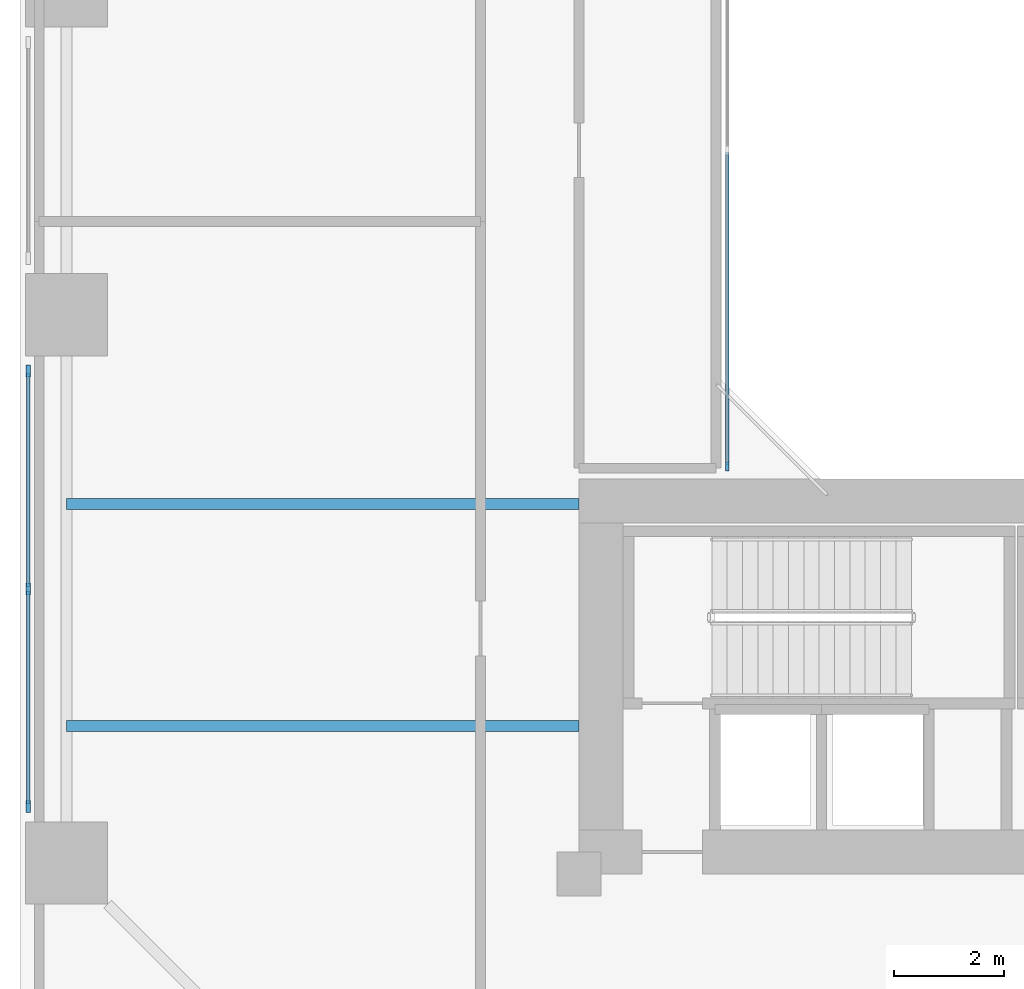
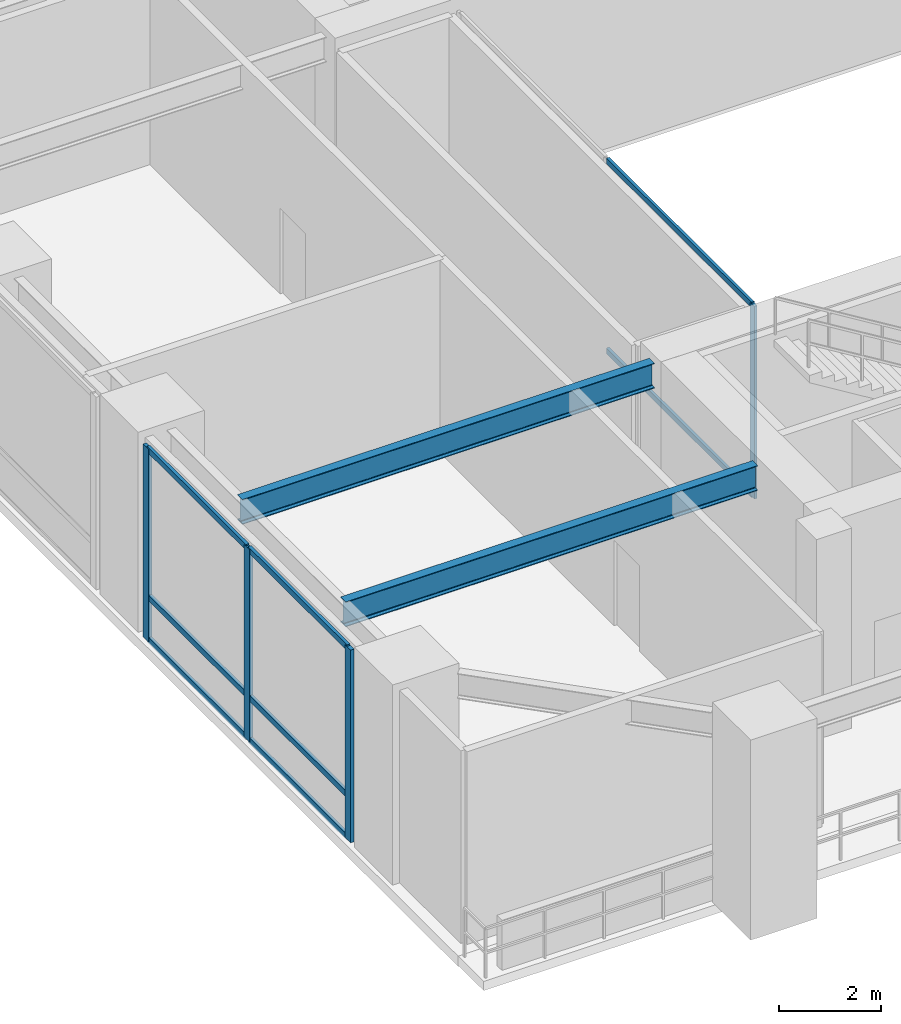
# One storey, part 2 of 19: 12 members, 2 beams, 2 elements without a shape of their own.
"""IFC4 building model written with IfcOpenShell, lengths in metres."""

from ifc_helpers import new_model, si_unit, direction, frame, origin, origin_2d, place, context, subcontext, project, spatial, rectangle, i_section, extrude, source, transform, mapped, material, layer, layer_set, material_profile, profile_set, type_object, element, aggregate, save


model = new_model("IFC4")

# Units and contexts
model_context = context("Model", 3, precision=1e-05, world=origin(), true_north=direction((0.0, 1.0)))
body_context = subcontext(model_context, "Body", "Model", "MODEL_VIEW")
ifc_project = project(units=[si_unit("LENGTHUNIT", "METRE"), si_unit("AREAUNIT", "SQUARE_METRE"), si_unit("VOLUMEUNIT", "CUBIC_METRE"), si_unit("PLANEANGLEUNIT", "RADIAN"), si_unit("MASSUNIT", "GRAM", prefix="KILO"), si_unit("THERMODYNAMICTEMPERATUREUNIT", "KELVIN"), si_unit("POWERUNIT", "WATT")], contexts=[model_context])

# Site, building, storey
site_placement = place(None, origin())
site = spatial("IfcSite", under=ifc_project, at=site_placement, CompositionType="ELEMENT")
building_placement = place(site_placement, origin())
building = spatial("IfcBuilding", under=site, at=building_placement, Name="Qiaomeng Ring Towers", CompositionType="ELEMENT")
storey_placement = place(building_placement, frame((0.0, 0.0, 18.199951171875)))
storey = spatial("IfcBuildingStorey", under=building, at=storey_placement, Name="L04", CompositionType="ELEMENT", Elevation=18.199951171875)

# Beams
ifc_material_1 = material(Name="Steel Q355B", Category="steel")
ifc_material_profile_1 = material_profile(ifc_material_1, i_section(OverallWidth=0.199951171875, OverallDepth=0.60009765625, WebThickness=0.010986328125, FlangeThickness=0.01708984375, FilletRadius=0.02197265625, at=origin_2d()), Name="HN 600x200x11x17")
ifc_profile_set_1 = profile_set([ifc_material_profile_1], Name="Steel Q355B")
beam_type = type_object("IfcBeamType", Name="STR-BM-HN600", PredefinedType="BEAM", material=ifc_profile_set_1)
shared_shape_1 = source(origin(), body_context, "Body", "SweptSolid", [
    extrude(i_section(OverallWidth=0.199951171875, OverallDepth=0.60009765625, WebThickness=0.010986328125, FlangeThickness=0.01708984375, FilletRadius=0.02197265625, at=origin_2d()), origin(), (0.0, 0.0, 1.0), 9.349853515625),
])
for number, where, z_axis, x_axis, name in (
    (1, (0.85009765625, 12.5, 4.320068359375), (1.0, 0.0, 0.0), (0.0, 1.0, 0.0), "L04 beam STR-BM-L04-W-0"),
    (2, (0.85009765625, 16.550048828125, 4.320068359375), (1.0, 0.0, 0.0), (0.0, 1.0, 0.0), "L04 beam STR-BM-L04-W-1"),
):
    element("IfcBeam", number, at=place(storey_placement, frame(where, z_axis=z_axis, x_axis=x_axis)), inside=storey, type_object=beam_type, Name=name, PredefinedType="BEAM", context=body_context, shape_type="MappedRepresentation", body=[
        mapped(shared_shape_1, transform((0.0, 0.0, 0.0), x_axis=(1.0, 0.0, 0.0), y_axis=(0.0, 1.0, 0.0), z_axis=(0.0, 0.0, 1.0), scale=1.0)),
    ])

# Curtain wall, members
ifc_material_2 = material(Name="Fluorocarbon dark-grey aluminium", Category="aluminium")
ifc_layer_1 = layer(ifc_material_2, 0.179931640625, Name="Fluorocarbon dark-grey aluminium")
ifc_layer_set_1 = layer_set([ifc_layer_1], Name="Fluorocarbon dark-grey aluminium")
curtain_wall_type_1 = type_object("IfcCurtainWallType", Name="ARC-CW-1", PredefinedType="NOTDEFINED", material=ifc_layer_set_1)
curtain_wall_1_placement = place(storey_placement, origin())
curtain_wall_1 = element("IfcCurtainWall", 3, at=curtain_wall_1_placement, inside=storey, type_object=curtain_wall_type_1, Name="L04 Curtain Wall CW1", PredefinedType="NOTDEFINED")
ifc_material_profile_2 = material_profile(ifc_material_2, rectangle(XDim=0.070068359375, YDim=0.139892578125, at=origin_2d()), Name="ALU TRAN 70x140")
ifc_profile_set_2 = profile_set([ifc_material_profile_2], Name="Fluorocarbon dark-grey aluminium")
member_type_1 = type_object("IfcMemberType", Name="ARC-CWT-140", PredefinedType="USERDEFINED", material=ifc_profile_set_2)
shared_shape_2 = source(origin(), body_context, "Body", "SweptSolid", [
    extrude(rectangle(XDim=0.070068359375, YDim=0.139892578125, at=origin_2d()), origin(), (0.0, 0.0, 1.0), 3.889892578125),
])
member_1_placement = place(storey_placement, frame((0.14990234375, 11.070068359375, 0.03515625), z_axis=(0.0, 1.0, 0.0), x_axis=(-1.0, 0.0, 0.0)))
member_1 = element("IfcMember", 4, at=member_1_placement, type_object=member_type_1, Name="CW1 transom 1.1", ObjectType="TRANSOM", PredefinedType="USERDEFINED", context=body_context, shape_type="MappedRepresentation", body=[
    mapped(shared_shape_2, transform((0.0, 0.0, 0.0), x_axis=(1.0, 0.0, 0.0), y_axis=(0.0, 1.0, 0.0), z_axis=(0.0, 0.0, 1.0), scale=1.0)),
])
member_2_placement = place(storey_placement, frame((0.14990234375, 11.070068359375, 1.050048828125), z_axis=(0.0, 1.0, 0.0), x_axis=(-1.0, 0.0, 0.0)))
member_2 = element("IfcMember", 5, at=member_2_placement, type_object=member_type_1, Name="CW1 transom 1.2", ObjectType="TRANSOM", PredefinedType="USERDEFINED", context=body_context, shape_type="MappedRepresentation", body=[
    mapped(shared_shape_2, transform((0.0, 0.0, 0.0), x_axis=(1.0, 0.0, 0.0), y_axis=(0.0, 1.0, 0.0), z_axis=(0.0, 0.0, 1.0), scale=1.0)),
])
member_3_placement = place(storey_placement, frame((0.14990234375, 11.070068359375, 4.5849609375), z_axis=(0.0, 1.0, 0.0), x_axis=(-1.0, 0.0, 0.0)))
member_3 = element("IfcMember", 6, at=member_3_placement, type_object=member_type_1, Name="CW1 transom 1.3", ObjectType="TRANSOM", PredefinedType="USERDEFINED", context=body_context, shape_type="MappedRepresentation", body=[
    mapped(shared_shape_2, transform((0.0, 0.0, 0.0), x_axis=(1.0, 0.0, 0.0), y_axis=(0.0, 1.0, 0.0), z_axis=(0.0, 0.0, 1.0), scale=1.0)),
])
member_4_placement = place(storey_placement, frame((0.14990234375, 15.0400390625, 0.03515625), z_axis=(0.0, 1.0, 0.0), x_axis=(-1.0, 0.0, 0.0)))
member_4 = element("IfcMember", 7, at=member_4_placement, type_object=member_type_1, Name="CW1 transom 2.1", ObjectType="TRANSOM", PredefinedType="USERDEFINED", context=body_context, shape_type="MappedRepresentation", body=[
    mapped(shared_shape_2, transform((0.0, 0.0, 0.0), x_axis=(1.0, 0.0, 0.0), y_axis=(0.0, 1.0, 0.0), z_axis=(0.0, 0.0, 1.0), scale=1.0)),
])
member_5_placement = place(storey_placement, frame((0.14990234375, 15.0400390625, 1.050048828125), z_axis=(0.0, 1.0, 0.0), x_axis=(-1.0, 0.0, 0.0)))
member_5 = element("IfcMember", 8, at=member_5_placement, type_object=member_type_1, Name="CW1 transom 2.2", ObjectType="TRANSOM", PredefinedType="USERDEFINED", context=body_context, shape_type="MappedRepresentation", body=[
    mapped(shared_shape_2, transform((0.0, 0.0, 0.0), x_axis=(1.0, 0.0, 0.0), y_axis=(0.0, 1.0, 0.0), z_axis=(0.0, 0.0, 1.0), scale=1.0)),
])
member_6_placement = place(storey_placement, frame((0.14990234375, 15.0400390625, 4.5849609375), z_axis=(0.0, 1.0, 0.0), x_axis=(-1.0, 0.0, 0.0)))
member_6 = element("IfcMember", 9, at=member_6_placement, type_object=member_type_1, Name="CW1 transom 2.3", ObjectType="TRANSOM", PredefinedType="USERDEFINED", context=body_context, shape_type="MappedRepresentation", body=[
    mapped(shared_shape_2, transform((0.0, 0.0, 0.0), x_axis=(1.0, 0.0, 0.0), y_axis=(0.0, 1.0, 0.0), z_axis=(0.0, 0.0, 1.0), scale=1.0)),
])

ifc_layer_2 = layer(ifc_material_2, 0.139892578125, Name="Fluorocarbon dark-grey aluminium")
ifc_layer_set_2 = layer_set([ifc_layer_2], Name="Fluorocarbon dark-grey aluminium")
curtain_wall_type_2 = type_object("IfcCurtainWallType", Name="ARC-CW-4", PredefinedType="NOTDEFINED", material=ifc_layer_set_2)
curtain_wall_2_placement = place(storey_placement, origin())
curtain_wall_2 = element("IfcCurtainWall", 10, at=curtain_wall_2_placement, inside=storey, type_object=curtain_wall_type_2, Name="L04 Curtain Wall CW4", PredefinedType="NOTDEFINED")
ifc_material_profile_3 = material_profile(ifc_material_2, rectangle(XDim=0.06494140625, YDim=0.1298828125, at=origin_2d()), Name="ALU TRAN 65x130")
ifc_profile_set_3 = profile_set([ifc_material_profile_3], Name="Fluorocarbon dark-grey aluminium")
member_type_2 = type_object("IfcMemberType", Name="ARC-CWT-120", PredefinedType="USERDEFINED", material=ifc_profile_set_3)
shared_shape_3 = source(origin(), body_context, "Body", "SweptSolid", [
    extrude(rectangle(XDim=0.06494140625, YDim=0.1298828125, at=origin_2d()), origin(), (0.0, 0.0, 1.0), 5.70263671875),
])
member_7_placement = place(storey_placement, frame((12.89990234375, 17.264892578125, 0.032470703125), z_axis=(0.0, 1.0, 0.0), x_axis=(-1.0, 0.0, 0.0)))
member_7 = element("IfcMember", 11, at=member_7_placement, type_object=member_type_2, Name="CW4 transom 1.1", ObjectType="TRANSOM", PredefinedType="USERDEFINED", context=body_context, shape_type="MappedRepresentation", body=[
    mapped(shared_shape_3, transform((0.0, 0.0, 0.0), x_axis=(1.0, 0.0, 0.0), y_axis=(0.0, 1.0, 0.0), z_axis=(0.0, 0.0, 1.0), scale=1.0)),
])
member_8_placement = place(storey_placement, frame((12.89990234375, 17.264892578125, 4.587646484375), z_axis=(0.0, 1.0, 0.0), x_axis=(-1.0, 0.0, 0.0)))
member_8 = element("IfcMember", 12, at=member_8_placement, type_object=member_type_2, Name="CW4 transom 1.2", ObjectType="TRANSOM", PredefinedType="USERDEFINED", context=body_context, shape_type="MappedRepresentation", body=[
    mapped(shared_shape_3, transform((0.0, 0.0, 0.0), x_axis=(1.0, 0.0, 0.0), y_axis=(0.0, 1.0, 0.0), z_axis=(0.0, 0.0, 1.0), scale=1.0)),
])

# Member
ifc_material_profile_4 = material_profile(ifc_material_2, rectangle(XDim=0.080078125, YDim=0.219970703125, at=origin_2d()), Name="ALU MULL 80x220")
ifc_profile_set_4 = profile_set([ifc_material_profile_4], Name="Fluorocarbon dark-grey aluminium")
member_type_3 = type_object("IfcMemberType", Name="ARC-CWM-180", PredefinedType="MULLION", material=ifc_profile_set_4)
shared_shape_4 = source(origin(), body_context, "Body", "SweptSolid", [
    extrude(rectangle(XDim=0.080078125, YDim=0.219970703125, at=origin_2d()), origin(), (0.0, 0.0, 1.0), 4.6201171875),
])
member_9_placement = place(storey_placement, frame((0.14990234375, 11.030029296875, 0.0), z_axis=(0.0, 0.0, 1.0), x_axis=(-1.0, 0.0, 0.0)))
member_9 = element("IfcMember", 13, at=member_9_placement, type_object=member_type_3, Name="CW1 mullion 1", PredefinedType="MULLION", context=body_context, shape_type="MappedRepresentation", body=[
    mapped(shared_shape_4, transform((0.0, 0.0, 0.0), x_axis=(1.0, 0.0, 0.0), y_axis=(0.0, 1.0, 0.0), z_axis=(0.0, 0.0, 1.0), scale=1.0)),
])

member_10_placement = place(storey_placement, frame((0.14990234375, 15.0, 0.0), z_axis=(0.0, 0.0, 1.0), x_axis=(-1.0, 0.0, 0.0)))
member_10 = element("IfcMember", 14, at=member_10_placement, type_object=member_type_3, Name="CW1 mullion 2", PredefinedType="MULLION", context=body_context, shape_type="MappedRepresentation", body=[
    mapped(shared_shape_4, transform((0.0, 0.0, 0.0), x_axis=(1.0, 0.0, 0.0), y_axis=(0.0, 1.0, 0.0), z_axis=(0.0, 0.0, 1.0), scale=1.0)),
])

member_11_placement = place(storey_placement, frame((0.14990234375, 18.969970703125, 0.0), z_axis=(0.0, 0.0, 1.0), x_axis=(-1.0, 0.0, 0.0)))
member_11 = element("IfcMember", 15, at=member_11_placement, type_object=member_type_3, Name="CW1 mullion 3", PredefinedType="MULLION", context=body_context, shape_type="MappedRepresentation", body=[
    mapped(shared_shape_4, transform((0.0, 0.0, 0.0), x_axis=(1.0, 0.0, 0.0), y_axis=(0.0, 1.0, 0.0), z_axis=(0.0, 0.0, 1.0), scale=1.0)),
])

aggregate(curtain_wall_1, [member_9, member_10, member_11, member_1, member_2, member_3, member_4, member_5, member_6])

ifc_material_profile_5 = material_profile(ifc_material_2, rectangle(XDim=0.06494140625, YDim=0.159912109375, at=origin_2d()), Name="ALU MULL 65x160")
ifc_profile_set_5 = profile_set([ifc_material_profile_5], Name="Fluorocarbon dark-grey aluminium")
member_type_4 = type_object("IfcMemberType", Name="ARC-CWM-140", PredefinedType="MULLION", material=ifc_profile_set_5)
shared_shape_5 = source(origin(), body_context, "Body", "SweptSolid", [
    extrude(rectangle(XDim=0.06494140625, YDim=0.159912109375, at=origin_2d()), origin(), (0.0, 0.0, 1.0), 4.6201171875),
])
member_12_placement = place(storey_placement, frame((12.89990234375, 17.232421875, 0.0), z_axis=(0.0, 0.0, 1.0), x_axis=(-1.0, 0.0, 0.0)))
member_12 = element("IfcMember", 16, at=member_12_placement, type_object=member_type_4, Name="CW4 mullion 1", PredefinedType="MULLION", context=body_context, shape_type="MappedRepresentation", body=[
    mapped(shared_shape_5, transform((0.0, 0.0, 0.0), x_axis=(1.0, 0.0, 0.0), y_axis=(0.0, 1.0, 0.0), z_axis=(0.0, 0.0, 1.0), scale=1.0)),
])

aggregate(curtain_wall_2, [member_12, member_7, member_8])

save(model, "model.ifc")
